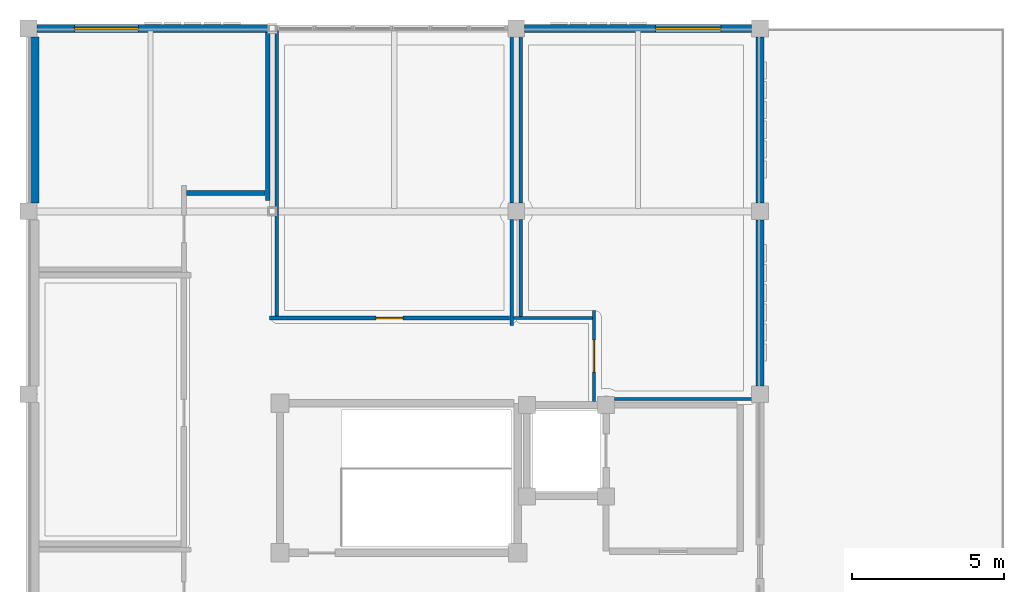
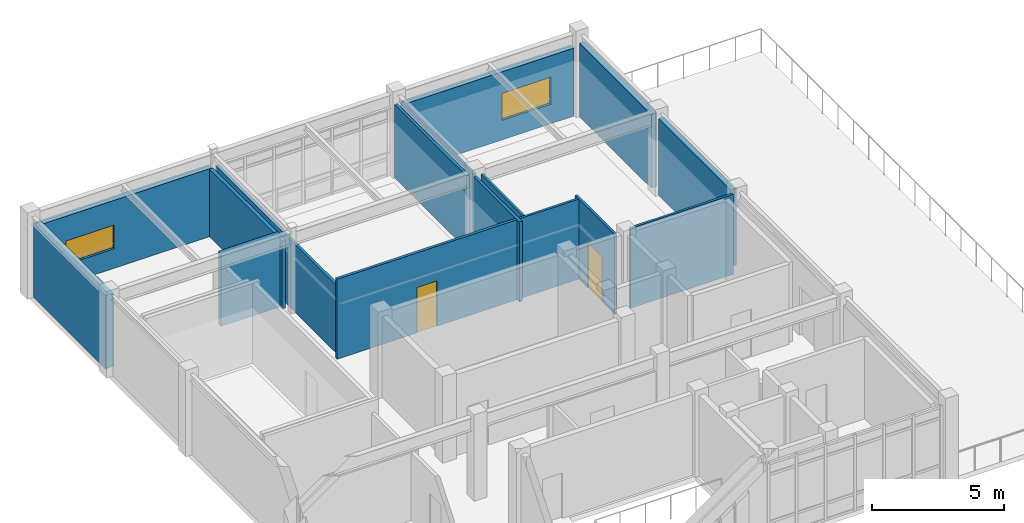
# One storey, part 9 of 11: 16 walls, 2 doors, 2 windows, 4 openings.
"""IFC4 building model written with IfcOpenShell, lengths in metres."""

from ifc_helpers import new_model, si_unit, direction, frame, frame_2d, origin, place, context, subcontext, project, spatial, rectangle, extrude, material, layer, layer_set, type_object, element, fill, save


model = new_model("IFC4")

# Units and contexts
model_context = context("Model", 3, precision=1e-05, world=origin(), true_north=direction((0.0, 1.0)))
body_context = subcontext(model_context, "Body", "Model", "MODEL_VIEW")
ifc_project = project(units=[si_unit("LENGTHUNIT", "METRE"), si_unit("AREAUNIT", "SQUARE_METRE"), si_unit("VOLUMEUNIT", "CUBIC_METRE"), si_unit("PLANEANGLEUNIT", "RADIAN"), si_unit("MASSUNIT", "GRAM", prefix="KILO")], contexts=[model_context])

# Site, building, storey
site_placement = place(None, origin())
site = spatial("IfcSite", under=ifc_project, at=site_placement, CompositionType="ELEMENT")
building_placement = place(site_placement, origin())
building = spatial("IfcBuilding", under=site, at=building_placement, Name="Celadon Cloister-Ring School", CompositionType="ELEMENT")
storey_placement = place(building_placement, frame((0.0, 0.0, 20.5)))
storey = spatial("IfcBuildingStorey", under=building, at=storey_placement, Name="L05", CompositionType="ELEMENT", Elevation=20.5)

# Wall, opening, window
ifc_material_1 = material(Name="Rendered concrete blockwork", Category="masonry")
ifc_layer_1 = layer(ifc_material_1, 0.260009765625)
ifc_layer_set_1 = layer_set([ifc_layer_1], Name="Rendered concrete blockwork")
wall_type_1 = type_object("IfcWallType", Name="WT-EX2", PredefinedType="SOLIDWALL", material=ifc_layer_set_1)
wall_1_placement = place(storey_placement, frame((0.277099609375, 68.0, 0.0), z_axis=(0.0, 0.0, 1.0), x_axis=(1.0, 0.0, 0.0)))
wall_1 = element("IfcWall", 1, at=wall_1_placement, inside=storey, type_object=wall_type_1, Name="Exterior Wall 0557", PredefinedType="SOLIDWALL", context=body_context, shape_type="SweptSolid", body=[
    extrude(rectangle(XDim=7.61083984375, YDim=0.260009765625, at=frame_2d((3.805419921875, 0.0))), origin(), (0.0, 0.0, 1.0), 3.139892578125),
])
opening_1_placement = place(wall_1_placement, frame((1.23291015625, 0.0, 0.89990234375)))
opening_1 = element("IfcOpeningElement", 2, at=opening_1_placement, cuts=wall_1, Name="Opening WN-09", PredefinedType="OPENING", context=body_context, shape_type="SweptSolid", body=[
    extrude(rectangle(XDim=2.10009765625, YDim=1.10009765625, at=frame_2d((1.050048828125, 0.550048828125))), frame((0.0, 0.14013671875, 0.0), z_axis=(0.0, -1.0, 0.0), x_axis=(1.0, 0.0, 0.0)), (0.0, 0.0, 1.0), 0.280029296875),
])
ifc_material_2 = material(Name="Tempered laminated insulating glass", Category="glass")
window_type_1 = type_object("IfcWindowType", Name="WN-09", PartitioningType="DOUBLE_PANEL_VERTICAL", PredefinedType="WINDOW", material=ifc_material_2)
window_1_placement = place(opening_1_placement, origin())
window_1 = element("IfcWindow", 3, at=window_1_placement, inside=storey, type_object=window_type_1, Name="Window 1014", OverallHeight=1.10009765625, OverallWidth=2.10009765625, PartitioningType="SINGLE_PANEL", PredefinedType="WINDOW", context=body_context, shape_type="SweptSolid", body=[
    extrude(rectangle(XDim=2.10009765625, YDim=1.10009765625, at=frame_2d((1.050048828125, 0.550048828125))), frame((0.0, 0.030029296875, 0.0), z_axis=(0.0, -1.0, 0.0), x_axis=(1.0, 0.0, 0.0)), (0.0, 0.0, 1.0), 0.06005859375),
])
fill(opening_1, window_1)

wall_2_placement = place(storey_placement, frame((16.277099609375, 68.0, 0.0), z_axis=(0.0, 0.0, 1.0), x_axis=(1.0, 0.0, 0.0)))
wall_2 = element("IfcWall", 4, at=wall_2_placement, inside=storey, type_object=wall_type_1, Name="Exterior Wall 0558", PredefinedType="SOLIDWALL", context=body_context, shape_type="SweptSolid", body=[
    extrude(rectangle(XDim=7.44580078125, YDim=0.260009765625, at=frame_2d((3.722900390625, 0.0))), origin(), (0.0, 0.0, 1.0), 3.139892578125),
])
opening_2_placement = place(wall_2_placement, frame((4.285888671875, 0.0, 0.89990234375)))
opening_2 = element("IfcOpeningElement", 5, at=opening_2_placement, cuts=wall_2, Name="Opening WN-19", PredefinedType="OPENING", context=body_context, shape_type="SweptSolid", body=[
    extrude(rectangle(XDim=2.14990234375, YDim=1.25, at=frame_2d((1.074951171875, 0.625))), frame((0.0, 0.14013671875, 0.0), z_axis=(0.0, -1.0, 0.0), x_axis=(1.0, 0.0, 0.0)), (0.0, 0.0, 1.0), 0.280029296875),
])
ifc_material_3 = material(Name="Tempered laminated insulating glass", Category="glass")
window_type_2 = type_object("IfcWindowType", Name="WN-19", PartitioningType="DOUBLE_PANEL_VERTICAL", PredefinedType="WINDOW", material=ifc_material_3)
window_2_placement = place(opening_2_placement, origin())
window_2 = element("IfcWindow", 6, at=window_2_placement, inside=storey, type_object=window_type_2, Name="Window 1015", OverallHeight=1.25, OverallWidth=2.14990234375, PartitioningType="SINGLE_PANEL", PredefinedType="WINDOW", context=body_context, shape_type="SweptSolid", body=[
    extrude(rectangle(XDim=2.14990234375, YDim=1.25, at=frame_2d((1.074951171875, 0.625))), frame((0.0, 0.030029296875, 0.0), z_axis=(0.0, -1.0, 0.0), x_axis=(1.0, 0.0, 0.0)), (0.0, 0.0, 1.0), 0.06005859375),
])
fill(opening_2, window_2)

# Walls
wall_3_placement = place(storey_placement, frame((24.0, 67.722900390625, 0.0), z_axis=(0.0, 0.0, 1.0), x_axis=(0.0, -1.0, 0.0)))
element("IfcWall", 7, at=wall_3_placement, inside=storey, type_object=wall_type_1, Name="Exterior Wall 0559", PredefinedType="SOLIDWALL", context=body_context, shape_type="SweptSolid", body=[
    extrude(rectangle(XDim=5.44580078125, YDim=0.260009765625, at=frame_2d((2.722900390625, 0.0))), origin(), (0.0, 0.0, 1.0), 3.39697265625),
])
wall_4_placement = place(storey_placement, frame((24.0, 61.722900390625, 0.0), z_axis=(0.0, 0.0, 1.0), x_axis=(0.0, -1.0, 0.0)))
element("IfcWall", 8, at=wall_4_placement, inside=storey, type_object=wall_type_1, Name="Exterior Wall 0560", PredefinedType="SOLIDWALL", context=body_context, shape_type="SweptSolid", body=[
    extrude(rectangle(XDim=5.44580078125, YDim=0.260009765625, at=frame_2d((2.722900390625, 0.0))), origin(), (0.0, 0.0, 1.0), 3.544921875),
])
ifc_material_4 = material(Name="Concrete C40/50", Category="concrete")
ifc_layer_2 = layer(ifc_material_4, 0.35009765625)
ifc_layer_set_2 = layer_set([ifc_layer_2], Name="Concrete C40/50")
wall_type_2 = type_object("IfcWallType", Name="WT-FW2", PredefinedType="SHEAR", material=ifc_layer_set_2)
wall_5_placement = place(storey_placement, frame((0.175048828125, 62.277099609375, 0.0), z_axis=(0.0, 0.0, 1.0), x_axis=(0.0, 1.0, 0.0)))
element("IfcWall", 9, at=wall_5_placement, inside=storey, type_object=wall_type_2, Name="Exterior Wall 0568", PredefinedType="SHEAR", context=body_context, shape_type="SweptSolid", body=[
    extrude(rectangle(XDim=5.44580078125, YDim=0.35009765625, at=frame_2d((2.722900390625, 0.0))), origin(), (0.0, 0.0, 1.0), 3.39697265625),
])
ifc_material_5 = material(Name="Plastered hollow concrete masonry", Category="masonry")
ifc_layer_3 = layer(ifc_material_5, 0.159912109375)
ifc_layer_set_3 = layer_set([ifc_layer_3], Name="Plastered hollow concrete masonry")
wall_type_3 = type_object("IfcWallType", Name="WT-PT3", PredefinedType="PARTITIONING", material=ifc_layer_set_3)
wall_6_placement = place(storey_placement, frame((7.85009765625, 67.866943359375, 0.0), z_axis=(0.0, 0.0, 1.0), x_axis=(0.0, -1.0, 0.0)))
element("IfcWall", 10, at=wall_6_placement, inside=storey, type_object=wall_type_3, Name="Interior Wall 1169", PredefinedType="PARTITIONING", context=body_context, shape_type="SweptSolid", body=[
    extrude(rectangle(XDim=5.5068359375, YDim=0.159912109375, at=frame_2d((2.75341796875, 0.0))), origin(), (0.0, 0.0, 1.0), 3.139892578125),
])
wall_7_placement = place(storey_placement, frame((7.76708984375, 62.60009765625, 0.0), z_axis=(0.0, 0.0, 1.0), x_axis=(-1.0, 0.0, 0.0)))
element("IfcWall", 11, at=wall_7_placement, inside=storey, type_object=wall_type_3, Name="Interior Wall 1170", PredefinedType="PARTITIONING", context=body_context, shape_type="SweptSolid", body=[
    extrude(rectangle(XDim=2.583984375, YDim=0.159912109375, at=frame_2d((1.2919921875, 0.0))), origin(), (0.0, 0.0, 1.0), 3.39697265625),
])
ifc_material_6 = material(Name="Acoustic mineral-wool drywall partition")
ifc_layer_4 = layer(ifc_material_6, 0.1201171875)
ifc_layer_set_4 = layer_set([ifc_layer_4], Name="Acoustic mineral-wool drywall partition")
wall_type_4 = type_object("IfcWallType", Name="WT-PT5", PredefinedType="PARTITIONING", material=ifc_layer_set_4)
wall_8_placement = place(storey_placement, frame((15.85009765625, 67.73291015625, 0.0), z_axis=(0.0, 0.0, 1.0), x_axis=(0.0, -1.0, 0.0)))
element("IfcWall", 12, at=wall_8_placement, inside=storey, type_object=wall_type_4, Name="Interior Wall 1155", PredefinedType="PARTITIONING", context=body_context, shape_type="SweptSolid", body=[
    extrude(rectangle(XDim=5.4658203125, YDim=0.1201171875, at=frame_2d((2.73291015625, 0.0))), origin(), (0.0, 0.0, 1.0), 3.39697265625),
])
wall_9_placement = place(storey_placement, frame((15.85009765625, 61.73291015625, 0.0), z_axis=(0.0, 0.0, 1.0), x_axis=(0.0, -1.0, 0.0)))
element("IfcWall", 13, at=wall_9_placement, inside=storey, type_object=wall_type_4, Name="Interior Wall 1156", PredefinedType="PARTITIONING", context=body_context, shape_type="SweptSolid", body=[
    extrude(rectangle(XDim=3.472900390625, YDim=0.1201171875, at=frame_2d((1.736328125, 0.0))), origin(), (0.0, 0.0, 1.0), 3.699951171875),
])

# Wall, opening, door
wall_10_placement = place(storey_placement, frame((15.787109375, 58.5, 0.0), z_axis=(0.0, 0.0, 1.0), x_axis=(-1.0, 0.0, 0.0)))
wall_10 = element("IfcWall", 14, at=wall_10_placement, inside=storey, type_object=wall_type_4, Name="Interior Wall 1157", PredefinedType="PARTITIONING", context=body_context, shape_type="SweptSolid", body=[
    extrude(rectangle(XDim=7.877197265625, YDim=0.1201171875, at=frame_2d((3.9384765625, 0.0))), origin(), (0.0, 0.0, 1.0), 3.699951171875),
])
opening_3_placement = place(wall_10_placement, frame((3.4990234375, 0.0, 0.0)))
opening_3 = element("IfcOpeningElement", 15, at=opening_3_placement, cuts=wall_10, Name="Opening D-0410", PredefinedType="OPENING", context=body_context, shape_type="SweptSolid", body=[
    extrude(rectangle(XDim=0.8798828125, YDim=2.10009765625, at=frame_2d((0.43994140625, 1.050048828125))), frame((0.0, 0.070068359375, 0.0), z_axis=(0.0, -1.0, 0.0), x_axis=(1.0, 0.0, 0.0)), (0.0, 0.0, 1.0), 0.14013671875),
])
ifc_material_7 = material(Name="Solid-core fire-rated hardwood leaf", Category="wood")
door_type_1 = type_object("IfcDoorType", Name="DT-01", OperationType="NOTDEFINED", PredefinedType="DOOR", material=ifc_material_7)
door_1_placement = place(opening_3_placement, origin())
door_1 = element("IfcDoor", 16, at=door_1_placement, inside=storey, type_object=door_type_1, Name="Door D-0410", OperationType="SINGLE_SWING_RIGHT", OverallHeight=2.10009765625, OverallWidth=0.8798828125, PredefinedType="DOOR", context=body_context, shape_type="SweptSolid", body=[
    extrude(rectangle(XDim=0.8798828125, YDim=2.10009765625, at=frame_2d((0.43994140625, 1.050048828125))), frame((0.0, 0.02490234375, 0.0), z_axis=(0.0, -1.0, 0.0), x_axis=(1.0, 0.0, 0.0)), (0.0, 0.0, 1.0), 0.050048828125),
])
fill(opening_3, door_1)

# Walls
wall_11_placement = place(storey_placement, frame((8.14990234375, 58.56298828125, 0.0), z_axis=(0.0, 0.0, 1.0), x_axis=(0.0, 1.0, 0.0)))
element("IfcWall", 17, at=wall_11_placement, inside=storey, type_object=wall_type_4, Name="Interior Wall 1158", PredefinedType="PARTITIONING", context=body_context, shape_type="SweptSolid", body=[
    extrude(rectangle(XDim=9.376953125, YDim=0.1201171875, at=frame_2d((4.6884765625, 0.0))), origin(), (0.0, 0.0, 1.0), 3.139892578125),
])
ifc_material_8 = material(Name="Acoustic mineral-wool drywall partition")
ifc_layer_5 = layer(ifc_material_8, 0.10009765625)
ifc_layer_set_5 = layer_set([ifc_layer_5], Name="Acoustic mineral-wool drywall partition")
wall_type_5 = type_object("IfcWallType", Name="WT-PT6", PredefinedType="PARTITIONING", material=ifc_layer_set_5)
wall_12_placement = place(storey_placement, frame((23.73291015625, 55.85009765625, 0.0), z_axis=(0.0, 0.0, 1.0), x_axis=(-1.0, 0.0, 0.0)))
element("IfcWall", 18, at=wall_12_placement, inside=storey, type_object=wall_type_5, Name="Interior Wall 1159", PredefinedType="PARTITIONING", context=body_context, shape_type="SweptSolid", body=[
    extrude(rectangle(XDim=4.515869140625, YDim=0.10009765625, at=frame_2d((2.2578125, 0.0))), origin(), (0.0, 0.0, 1.0), 3.699951171875),
])

# Wall, opening, door
wall_13_placement = place(storey_placement, frame((18.550048828125, 55.762939453125, 0.0), z_axis=(0.0, 0.0, 1.0), x_axis=(0.0, 1.0, 0.0)))
wall_13 = element("IfcWall", 19, at=wall_13_placement, inside=storey, type_object=wall_type_5, Name="Interior Wall 1160", PredefinedType="PARTITIONING", context=body_context, shape_type="SweptSolid", body=[
    extrude(rectangle(XDim=2.97705078125, YDim=0.10009765625, at=frame_2d((1.488525390625, 0.0))), origin(), (0.0, 0.0, 1.0), 3.699951171875),
])
opening_4_placement = place(wall_13_placement, frame((0.964111328125, 0.0, 0.0)))
opening_4 = element("IfcOpeningElement", 20, at=opening_4_placement, cuts=wall_13, Name="Opening D-0411", PredefinedType="OPENING", context=body_context, shape_type="SweptSolid", body=[
    extrude(rectangle(XDim=1.050048828125, YDim=2.10009765625, at=frame_2d((0.52490234375, 1.050048828125))), frame((0.0, 0.06005859375, 0.0), z_axis=(0.0, -1.0, 0.0), x_axis=(1.0, 0.0, 0.0)), (0.0, 0.0, 1.0), 0.1201171875),
])
ifc_material_9 = material(Name="Solid-core fire-rated hardwood leaf", Category="wood")
door_type_2 = type_object("IfcDoorType", Name="DT-05", OperationType="NOTDEFINED", PredefinedType="DOOR", material=ifc_material_9)
door_2_placement = place(opening_4_placement, origin())
door_2 = element("IfcDoor", 21, at=door_2_placement, inside=storey, type_object=door_type_2, Name="Door D-0411", OperationType="SINGLE_SWING_LEFT", OverallHeight=2.10009765625, OverallWidth=1.050048828125, PredefinedType="DOOR", context=body_context, shape_type="SweptSolid", body=[
    extrude(rectangle(XDim=1.050048828125, YDim=2.10009765625, at=frame_2d((0.52490234375, 1.050048828125))), frame((0.0, 0.02490234375, 0.0), z_axis=(0.0, -1.0, 0.0), x_axis=(1.0, 0.0, 0.0)), (0.0, 0.0, 1.0), 0.050048828125),
])
fill(opening_4, door_2)

# Walls
wall_14_placement = place(storey_placement, frame((18.4970703125, 58.5, 0.0), z_axis=(0.0, 0.0, 1.0), x_axis=(-1.0, 0.0, 0.0)))
element("IfcWall", 22, at=wall_14_placement, inside=storey, type_object=wall_type_5, Name="Interior Wall 1161", PredefinedType="PARTITIONING", context=body_context, shape_type="SweptSolid", body=[
    extrude(rectangle(XDim=2.583984375, YDim=0.10009765625, at=frame_2d((1.2919921875, 0.0))), origin(), (0.0, 0.0, 1.0), 3.699951171875),
])
wall_15_placement = place(storey_placement, frame((16.14990234375, 58.552978515625, 0.0), z_axis=(0.0, 0.0, 1.0), x_axis=(0.0, 1.0, 0.0)))
element("IfcWall", 23, at=wall_15_placement, inside=storey, type_object=wall_type_5, Name="Interior Wall 1162", PredefinedType="PARTITIONING", context=body_context, shape_type="SweptSolid", body=[
    extrude(rectangle(XDim=3.179931640625, YDim=0.10009765625, at=frame_2d((1.58984375, 0.0))), origin(), (0.0, 0.0, 1.0), 3.699951171875),
])
wall_16_placement = place(storey_placement, frame((16.14990234375, 62.26708984375, 0.0), z_axis=(0.0, 0.0, 1.0), x_axis=(0.0, 1.0, 0.0)))
element("IfcWall", 24, at=wall_16_placement, inside=storey, type_object=wall_type_5, Name="Interior Wall 1163", PredefinedType="PARTITIONING", context=body_context, shape_type="SweptSolid", body=[
    extrude(rectangle(XDim=5.4658203125, YDim=0.10009765625, at=frame_2d((2.73291015625, 0.0))), origin(), (0.0, 0.0, 1.0), 3.39697265625),
])

save(model, "model.ifc")
